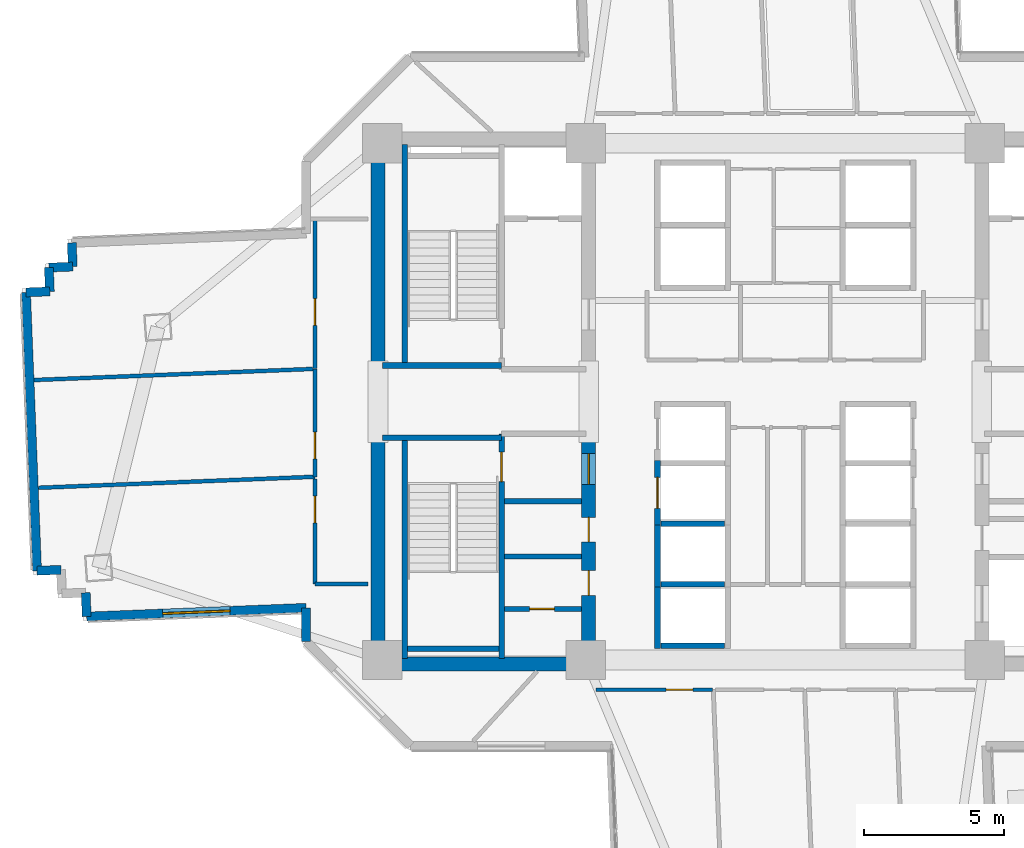
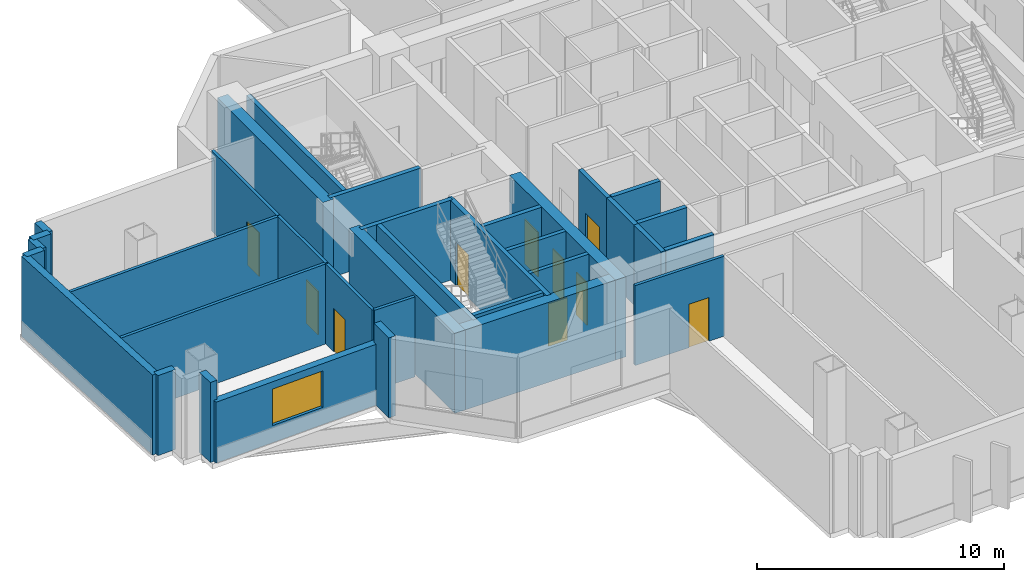
# One storey, part 6 of 16: 35 walls, 10 doors, 1 window, 11 openings.
"""IFC4 building model written with IfcOpenShell, lengths in metres."""

from ifc_helpers import new_model, si_unit, direction, frame, frame_2d, origin, place, context, subcontext, project, spatial, rectangle, extrude, source, transform, mapped, material, layer, layer_set, type_object, element, fill, save


model = new_model("IFC4")

# Units and contexts
model_context = context("Model", 3, precision=1e-05, world=origin(), true_north=direction((0.0, 1.0)))
body_context = subcontext(model_context, "Body", "Model", "MODEL_VIEW")
ifc_project = project(units=[si_unit("LENGTHUNIT", "METRE"), si_unit("AREAUNIT", "SQUARE_METRE"), si_unit("VOLUMEUNIT", "CUBIC_METRE"), si_unit("PLANEANGLEUNIT", "RADIAN"), si_unit("MASSUNIT", "GRAM", prefix="KILO")], contexts=[model_context])

# Site, building, storey
site_placement = place(None, origin())
site = spatial("IfcSite", under=ifc_project, at=site_placement, CompositionType="ELEMENT")
building_placement = place(site_placement, origin())
building = spatial("IfcBuilding", under=site, at=building_placement, Name="Zahravan Cultural Tower", CompositionType="ELEMENT")
storey_placement = place(building_placement, frame((0.0, 0.0, 58.5)))
storey = spatial("IfcBuildingStorey", under=building, at=storey_placement, Name="L12", CompositionType="ELEMENT", Elevation=58.5)

# Wall, openings, doors
ifc_material_1 = material(Name="Concrete C60/75", Category="concrete")
ifc_layer_1 = layer(ifc_material_1, 0.5)
ifc_layer_set_1 = layer_set([ifc_layer_1], Name="Concrete C60/75")
wall_type_1 = type_object("IfcWallType", Name="CW-SHEAR-500-C60", PredefinedType="SHEAR", material=ifc_layer_set_1)
wall_1_placement = place(storey_placement, frame((29.0, 17.39990234375, 0.0), z_axis=(0.0, 0.0, 1.0), x_axis=(0.0, 1.0, 0.0)))
wall_1 = element("IfcWall", 1, at=wall_1_placement, inside=storey, type_object=wall_type_1, Name="L12 Core Shear Wall CW-W-ES-L12", PredefinedType="SHEAR", context=body_context, shape_type="SweptSolid", body=[
    extrude(rectangle(XDim=8.550048828125, YDim=0.5, at=frame_2d((4.27490234375, 0.0))), origin(), (0.0, 0.0, 1.0), 3.949951171875),
])
opening_1_placement = place(wall_1_placement, frame((6.64990234375, 0.0, 0.0)))
opening_1 = element("IfcOpeningElement", 2, at=opening_1_placement, cuts=wall_1, Name="Opening D-L12-07", PredefinedType="OPENING", context=body_context, shape_type="SweptSolid", body=[
    extrude(rectangle(XDim=1.10009765625, YDim=2.199951171875, at=frame_2d((0.550048828125, 1.10009765625))), frame((0.0, 0.260009765625, 0.0), z_axis=(0.0, -1.0, 0.0), x_axis=(1.0, 0.0, 0.0)), (0.0, 0.0, 1.0), 0.52001953125),
])
opening_2_placement = place(wall_1_placement, frame((2.699951171875, 0.0, 0.0)))
opening_2 = element("IfcOpeningElement", 3, at=opening_2_placement, cuts=wall_1, Name="Opening D-L12-10", PredefinedType="OPENING", context=body_context, shape_type="SweptSolid", body=[
    extrude(rectangle(XDim=0.8798828125, YDim=2.10009765625, at=frame_2d((0.43994140625, 1.050048828125))), frame((0.0, 0.260009765625, 0.0), z_axis=(0.0, -1.0, 0.0), x_axis=(1.0, 0.0, 0.0)), (0.0, 0.0, 1.0), 0.52001953125),
])
opening_3_placement = place(wall_1_placement, frame((4.60009765625, 0.0, 0.0)))
opening_3 = element("IfcOpeningElement", 4, at=opening_3_placement, cuts=wall_1, Name="Opening D-L12-11", PredefinedType="OPENING", context=body_context, shape_type="SweptSolid", body=[
    extrude(rectangle(XDim=0.8798828125, YDim=2.10009765625, at=frame_2d((0.43994140625, 1.050048828125))), frame((0.0, 0.260009765625, 0.0), z_axis=(0.0, -1.0, 0.0), x_axis=(1.0, 0.0, 0.0)), (0.0, 0.0, 1.0), 0.52001953125),
])
ifc_material_2 = material(Name="Steel ASTM A572 Grade 50", Category="steel")
door_type_1 = type_object("IfcDoorType", Name="DR-LOBBY-1100", OperationType="NOTDEFINED", PredefinedType="DOOR", material=ifc_material_2)
shared_shape_1 = source(origin(), body_context, "Body", "SweptSolid", [
    extrude(rectangle(XDim=1.10009765625, YDim=2.199951171875, at=frame_2d((0.550048828125, 1.10009765625))), frame((0.0, 0.02490234375, 0.0), z_axis=(0.0, -1.0, 0.0), x_axis=(1.0, 0.0, 0.0)), (0.0, 0.0, 1.0), 0.050048828125),
])
door_1_placement = place(opening_1_placement, origin())
door_1 = element("IfcDoor", 5, at=door_1_placement, inside=storey, type_object=door_type_1, Name="L12 Door D-L12-07", OperationType="SINGLE_SWING_RIGHT", OverallHeight=2.199951171875, OverallWidth=1.10009765625, PredefinedType="DOOR", context=body_context, shape_type="MappedRepresentation", body=[
    mapped(shared_shape_1, transform((0.0, 0.0, 0.0), x_axis=(1.0, 0.0, 0.0), y_axis=(0.0, 1.0, 0.0), z_axis=(0.0, 0.0, 1.0), scale=1.0)),
])
fill(opening_1, door_1)
door_type_2 = type_object("IfcDoorType", Name="DR-SVC-880", OperationType="NOTDEFINED", PredefinedType="DOOR", material=ifc_material_2)
shared_shape_2 = source(origin(), body_context, "Body", "SweptSolid", [
    extrude(rectangle(XDim=0.8798828125, YDim=2.10009765625, at=frame_2d((0.43994140625, 1.050048828125))), frame((0.0, 0.02490234375, 0.0), z_axis=(0.0, -1.0, 0.0), x_axis=(1.0, 0.0, 0.0)), (0.0, 0.0, 1.0), 0.050048828125),
])
door_2_placement = place(opening_2_placement, origin())
door_2 = element("IfcDoor", 6, at=door_2_placement, inside=storey, type_object=door_type_2, Name="L12 Door D-L12-10", OperationType="SINGLE_SWING_LEFT", OverallHeight=2.10009765625, OverallWidth=0.8798828125, PredefinedType="DOOR", context=body_context, shape_type="MappedRepresentation", body=[
    mapped(shared_shape_2, transform((0.0, 0.0, 0.0), x_axis=(1.0, 0.0, 0.0), y_axis=(0.0, 1.0, 0.0), z_axis=(0.0, 0.0, 1.0), scale=1.0)),
])
fill(opening_2, door_2)
door_3_placement = place(opening_3_placement, origin())
door_3 = element("IfcDoor", 7, at=door_3_placement, inside=storey, type_object=door_type_2, Name="L12 Door D-L12-11", OperationType="SINGLE_SWING_RIGHT", OverallHeight=2.10009765625, OverallWidth=0.8798828125, PredefinedType="DOOR", context=body_context, shape_type="MappedRepresentation", body=[
    mapped(shared_shape_2, transform((0.0, 0.0, 0.0), x_axis=(1.0, 0.0, 0.0), y_axis=(0.0, 1.0, 0.0), z_axis=(0.0, 0.0, 1.0), scale=1.0)),
])
fill(opening_3, door_3)

# Wall, opening, window
ifc_material_3 = material(Name="Precast concrete C40/50", Category="concrete")
ifc_layer_2 = layer(ifc_material_3, 0.320068359375)
ifc_layer_set_2 = layer_set([ifc_layer_2], Name="Precast concrete C40/50")
wall_type_2 = type_object("IfcWallType", Name="EW-TC-320", PredefinedType="SOLIDWALL", material=ifc_layer_set_2)
wall_2_placement = place(storey_placement, frame((18.93994140625, 19.655517578125, 0.0), z_axis=(0.0, 0.0, 1.0), x_axis=(-0.999208917222, -0.039768577336, 0.0)))
wall_2 = element("IfcWall", 8, at=wall_2_placement, inside=storey, type_object=wall_type_2, Name="L12 Exterior Masonry Frame Wall 28", PredefinedType="SOLIDWALL", context=body_context, shape_type="SweptSolid", body=[
    extrude(rectangle(XDim=7.821044921875, YDim=0.320068359375, at=frame_2d((3.91064453125, 0.0))), origin(), (0.0, 0.0, 1.0), 3.010009765625),
])
opening_4_placement = place(wall_2_placement, frame((2.7109375, 0.0, 0.85009765625)))
opening_4 = element("IfcOpeningElement", 9, at=opening_4_placement, cuts=wall_2, Name="Opening WN-01", PredefinedType="OPENING", context=body_context, shape_type="SweptSolid", body=[
    extrude(rectangle(XDim=2.39990234375, YDim=1.800048828125, at=frame_2d((1.199951171875, 0.89990234375))), frame((0.0, 0.169921875, 0.0), z_axis=(0.0, -1.0, 0.0), x_axis=(1.0, 0.0, 0.0)), (0.0, 0.0, 1.0), 0.340087890625),
])
ifc_material_4 = material(Name="Low-E solar-control double glazing", Category="glass")
window_type = type_object("IfcWindowType", Name="WN-REC-2400X1800", PartitioningType="DOUBLE_PANEL_VERTICAL", PredefinedType="WINDOW", material=ifc_material_4)
shared_shape_3 = source(origin(), body_context, "Body", "SweptSolid", [
    extrude(rectangle(XDim=2.39990234375, YDim=1.800048828125, at=frame_2d((1.199951171875, 0.89990234375))), frame((0.0, 0.030029296875, 0.0), z_axis=(0.0, -1.0, 0.0), x_axis=(1.0, 0.0, 0.0)), (0.0, 0.0, 1.0), 0.06005859375),
])
window_placement = place(opening_4_placement, origin())
window = element("IfcWindow", 10, at=window_placement, inside=storey, type_object=window_type, Name="L12 Recessed Solar Window 08", OverallHeight=1.800048828125, OverallWidth=2.39990234375, PartitioningType="DOUBLE_PANEL_VERTICAL", PredefinedType="WINDOW", context=body_context, shape_type="MappedRepresentation", body=[
    mapped(shared_shape_3, transform((0.0, 0.0, 0.0), x_axis=(1.0, 0.0, 0.0), y_axis=(0.0, 1.0, 0.0), z_axis=(0.0, 0.0, 1.0), scale=1.0)),
])
fill(opening_4, window)

# Wall, opening, door
ifc_material_5 = material(Name="Gypsum plasterboard partition")
ifc_layer_3 = layer(ifc_material_5, 0.179931640625)
ifc_layer_set_3 = layer_set([ifc_layer_3], Name="Gypsum plasterboard partition")
wall_type_3 = type_object("IfcWallType", Name="W-COMP-180", PredefinedType="PARTITIONING", material=ifc_layer_set_3)
wall_3_placement = place(storey_placement, frame((26.0, 19.6201171875, 0.0), z_axis=(0.0, 0.0, 1.0), x_axis=(1.0, 0.0, 0.0)))
wall_3 = element("IfcWall", 11, at=wall_3_placement, inside=storey, type_object=wall_type_3, Name="L12 Interior Wall 026", PredefinedType="PARTITIONING", context=body_context, shape_type="SweptSolid", body=[
    extrude(rectangle(XDim=2.75, YDim=0.179931640625, at=frame_2d((1.375, 0.0))), origin(), (0.0, 0.0, 1.0), 3.949951171875),
])
opening_5_placement = place(wall_3_placement, frame((0.89990234375, 0.0, 0.0)))
opening_5 = element("IfcOpeningElement", 12, at=opening_5_placement, cuts=wall_3, Name="Opening D-L12-09", PredefinedType="OPENING", context=body_context, shape_type="SweptSolid", body=[
    extrude(rectangle(XDim=0.8798828125, YDim=2.10009765625, at=frame_2d((0.43994140625, 1.050048828125))), frame((0.0, 0.099853515625, 0.0), z_axis=(0.0, -1.0, 0.0), x_axis=(1.0, 0.0, 0.0)), (0.0, 0.0, 1.0), 0.199951171875),
])
door_4_placement = place(opening_5_placement, origin())
door_4 = element("IfcDoor", 13, at=door_4_placement, inside=storey, type_object=door_type_2, Name="L12 Door D-L12-09", OperationType="SINGLE_SWING_RIGHT", OverallHeight=2.10009765625, OverallWidth=0.8798828125, PredefinedType="DOOR", context=body_context, shape_type="MappedRepresentation", body=[
    mapped(shared_shape_2, transform((0.0, 0.0, 0.0), x_axis=(1.0, 0.0, 0.0), y_axis=(0.0, 1.0, 0.0), z_axis=(0.0, 0.0, 1.0), scale=1.0)),
])
fill(opening_5, door_4)

ifc_layer_4 = layer(ifc_material_5, 0.139892578125)
ifc_layer_set_4 = layer_set([ifc_layer_4], Name="Gypsum plasterboard partition")
wall_type_4 = type_object("IfcWallType", Name="W-PART-140", PredefinedType="PARTITIONING", material=ifc_layer_set_4)
wall_4_placement = place(storey_placement, frame((19.25, 28.16455078125, 0.0), z_axis=(0.0, 0.0, 1.0), x_axis=(0.0, -1.0, 0.0)))
wall_4 = element("IfcWall", 14, at=wall_4_placement, inside=storey, type_object=wall_type_4, Name="L12 Interior Wall 094", PredefinedType="PARTITIONING", context=body_context, shape_type="SweptSolid", body=[
    extrude(rectangle(XDim=3.843017578125, YDim=0.139892578125, at=frame_2d((1.92138671875, 0.0))), origin(), (0.0, 0.0, 1.0), 3.949951171875),
])
opening_6_placement = place(wall_4_placement, frame((2.256591796875, 0.0, 0.0)))
opening_6 = element("IfcOpeningElement", 15, at=opening_6_placement, cuts=wall_4, Name="Opening D-L12-29", PredefinedType="OPENING", context=body_context, shape_type="SweptSolid", body=[
    extrude(rectangle(XDim=0.949951171875, YDim=2.14990234375, at=frame_2d((0.47509765625, 1.074951171875))), frame((0.0, 0.079833984375, 0.0), z_axis=(0.0, -1.0, 0.0), x_axis=(1.0, 0.0, 0.0)), (0.0, 0.0, 1.0), 0.159912109375),
])
ifc_material_6 = material(Name="Anodised bronze-aluminium mullion", Category="aluminium")
door_type_3 = type_object("IfcDoorType", Name="DR-ROOM-950", OperationType="NOTDEFINED", PredefinedType="DOOR", material=ifc_material_6)
shared_shape_4 = source(origin(), body_context, "Body", "SweptSolid", [
    extrude(rectangle(XDim=0.949951171875, YDim=2.14990234375, at=frame_2d((0.47509765625, 1.074951171875))), frame((0.0, 0.02490234375, 0.0), z_axis=(0.0, -1.0, 0.0), x_axis=(1.0, 0.0, 0.0)), (0.0, 0.0, 1.0), 0.050048828125),
])
door_5_placement = place(opening_6_placement, origin())
door_5 = element("IfcDoor", 16, at=door_5_placement, inside=storey, type_object=door_type_3, Name="L12 Door D-L12-29", OperationType="SINGLE_SWING_RIGHT", OverallHeight=2.14990234375, OverallWidth=0.949951171875, PredefinedType="DOOR", context=body_context, shape_type="MappedRepresentation", body=[
    mapped(shared_shape_4, transform((0.0, 0.0, 0.0), x_axis=(1.0, 0.0, 0.0), y_axis=(0.0, 1.0, 0.0), z_axis=(0.0, 0.0, 1.0), scale=1.0)),
])
fill(opening_6, door_5)

wall_5_placement = place(storey_placement, frame((19.25048828125, 33.496337890625, 0.0), z_axis=(0.0, 0.0, 1.0), x_axis=(-9.1924438e-05, -0.999999995775, 0.0)))
wall_5 = element("IfcWall", 17, at=wall_5_placement, inside=storey, type_object=wall_type_4, Name="L12 Interior Wall 114", PredefinedType="PARTITIONING", context=body_context, shape_type="SweptSolid", body=[
    extrude(rectangle(XDim=5.311767578125, YDim=0.139892578125, at=frame_2d((2.65576171875, 0.0))), origin(), (0.0, 0.0, 1.0), 3.949951171875),
])
opening_7_placement = place(wall_5_placement, frame((2.835205078125, 0.0, 0.0)))
opening_7 = element("IfcOpeningElement", 18, at=opening_7_placement, cuts=wall_5, Name="Opening D-L12-28", PredefinedType="OPENING", context=body_context, shape_type="SweptSolid", body=[
    extrude(rectangle(XDim=0.949951171875, YDim=2.14990234375, at=frame_2d((0.47509765625, 1.074951171875))), frame((0.0, 0.079833984375, 0.0), z_axis=(0.0, -1.0, 0.0), x_axis=(1.0, 0.0, 0.0)), (0.0, 0.0, 1.0), 0.159912109375),
])
door_6_placement = place(opening_7_placement, origin())
door_6 = element("IfcDoor", 19, at=door_6_placement, inside=storey, type_object=door_type_3, Name="L12 Door D-L12-28", OperationType="SINGLE_SWING_LEFT", OverallHeight=2.14990234375, OverallWidth=0.949951171875, PredefinedType="DOOR", context=body_context, shape_type="MappedRepresentation", body=[
    mapped(shared_shape_4, transform((0.0, 0.0, 0.0), x_axis=(1.0, 0.0, 0.0), y_axis=(0.0, 1.0, 0.0), z_axis=(0.0, 0.0, 1.0), scale=1.0)),
])
fill(opening_7, door_6)

wall_6_placement = place(storey_placement, frame((19.25, 24.24658203125, 0.0), z_axis=(0.0, 0.0, 1.0), x_axis=(0.000326008981, -0.999999946859, 0.0)))
wall_6 = element("IfcWall", 20, at=wall_6_placement, inside=storey, type_object=wall_type_4, Name="L12 Interior Wall 123", PredefinedType="PARTITIONING", context=body_context, shape_type="SweptSolid", body=[
    extrude(rectangle(XDim=3.744384765625, YDim=0.139892578125, at=frame_2d((1.8720703125, 0.0))), origin(), (0.0, 0.0, 1.0), 3.949951171875),
])
opening_8_placement = place(wall_6_placement, frame((0.61474609375, 0.0, 0.0)))
opening_8 = element("IfcOpeningElement", 21, at=opening_8_placement, cuts=wall_6, Name="Opening D-L12-30", PredefinedType="OPENING", context=body_context, shape_type="SweptSolid", body=[
    extrude(rectangle(XDim=0.949951171875, YDim=2.14990234375, at=frame_2d((0.47509765625, 1.074951171875))), frame((0.0, 0.079833984375, 0.0), z_axis=(0.0, -1.0, 0.0), x_axis=(1.0, 0.0, 0.0)), (0.0, 0.0, 1.0), 0.159912109375),
])
door_7_placement = place(opening_8_placement, origin())
door_7 = element("IfcDoor", 22, at=door_7_placement, inside=storey, type_object=door_type_3, Name="L12 Door D-L12-30", OperationType="SINGLE_SWING_LEFT", OverallHeight=2.14990234375, OverallWidth=0.949951171875, PredefinedType="DOOR", context=body_context, shape_type="MappedRepresentation", body=[
    mapped(shared_shape_4, transform((0.0, 0.0, 0.0), x_axis=(1.0, 0.0, 0.0), y_axis=(0.0, 1.0, 0.0), z_axis=(0.0, 0.0, 1.0), scale=1.0)),
])
fill(opening_8, door_7)

wall_7_placement = place(storey_placement, frame((29.257568359375, 16.740234375, 0.0), z_axis=(0.0, 0.0, 1.0), x_axis=(0.999999998277, -5.8706117e-05, 0.0)))
wall_7 = element("IfcWall", 23, at=wall_7_placement, inside=storey, type_object=wall_type_4, Name="L12 Interior Wall 125", PredefinedType="PARTITIONING", context=body_context, shape_type="SweptSolid", body=[
    extrude(rectangle(XDim=4.15869140625, YDim=0.139892578125, at=frame_2d((2.079345703125, 0.0))), origin(), (0.0, 0.0, 1.0), 3.949951171875),
])
opening_9_placement = place(wall_7_placement, frame((2.502685546875, 0.0, 0.0)))
opening_9 = element("IfcOpeningElement", 24, at=opening_9_placement, cuts=wall_7, Name="Opening D-L12-31", PredefinedType="OPENING", context=body_context, shape_type="SweptSolid", body=[
    extrude(rectangle(XDim=0.949951171875, YDim=2.14990234375, at=frame_2d((0.47509765625, 1.074951171875))), frame((0.0, 0.079833984375, 0.0), z_axis=(0.0, -1.0, 0.0), x_axis=(1.0, 0.0, 0.0)), (0.0, 0.0, 1.0), 0.159912109375),
])
door_8_placement = place(opening_9_placement, origin())
door_8 = element("IfcDoor", 25, at=door_8_placement, inside=storey, type_object=door_type_3, Name="L12 Door D-L12-31", OperationType="SINGLE_SWING_RIGHT", OverallHeight=2.14990234375, OverallWidth=0.949951171875, PredefinedType="DOOR", context=body_context, shape_type="MappedRepresentation", body=[
    mapped(shared_shape_4, transform((0.0, 0.0, 0.0), x_axis=(1.0, 0.0, 0.0), y_axis=(0.0, 1.0, 0.0), z_axis=(0.0, 0.0, 1.0), scale=1.0)),
])
fill(opening_9, door_8)

ifc_material_7 = material(Name="Concrete C45/55", Category="concrete")
ifc_layer_5 = layer(ifc_material_7, 0.199951171875)
ifc_layer_set_5 = layer_set([ifc_layer_5], Name="Concrete C45/55")
wall_type_5 = type_object("IfcWallType", Name="W-SHAFT-200", PredefinedType="SOLIDWALL", material=ifc_layer_set_5)
wall_8_placement = place(storey_placement, frame((25.89990234375, 17.85009765625, 0.0), z_axis=(0.0, 0.0, 1.0), x_axis=(0.0, 1.0, 0.0)))
wall_8 = element("IfcWall", 26, at=wall_8_placement, inside=storey, type_object=wall_type_5, Name="L12 Interior Wall 005", PredefinedType="SOLIDWALL", context=body_context, shape_type="SweptSolid", body=[
    extrude(rectangle(XDim=8.0, YDim=0.199951171875, at=frame_2d((4.0, 0.0))), origin(), (0.0, 0.0, 1.0), 3.949951171875),
])
opening_10_placement = place(wall_8_placement, frame((6.300048828125, 0.0, 0.0)))
opening_10 = element("IfcOpeningElement", 27, at=opening_10_placement, cuts=wall_8, Name="Opening D-L12-04", PredefinedType="OPENING", context=body_context, shape_type="SweptSolid", body=[
    extrude(rectangle(XDim=1.050048828125, YDim=2.14990234375, at=frame_2d((0.52490234375, 1.074951171875))), frame((0.0, 0.10986328125, 0.0), z_axis=(0.0, -1.0, 0.0), x_axis=(1.0, 0.0, 0.0)), (0.0, 0.0, 1.0), 0.219970703125),
])
door_type_4 = type_object("IfcDoorType", Name="DR-STAIR-1050", OperationType="NOTDEFINED", PredefinedType="DOOR", material=ifc_material_2)
shared_shape_5 = source(origin(), body_context, "Body", "SweptSolid", [
    extrude(rectangle(XDim=1.050048828125, YDim=2.14990234375, at=frame_2d((0.52490234375, 1.074951171875))), frame((0.0, 0.02490234375, 0.0), z_axis=(0.0, -1.0, 0.0), x_axis=(1.0, 0.0, 0.0)), (0.0, 0.0, 1.0), 0.050048828125),
])
door_9_placement = place(opening_10_placement, origin())
door_9 = element("IfcDoor", 28, at=door_9_placement, inside=storey, type_object=door_type_4, Name="L12 Door D-L12-04", OperationType="SINGLE_SWING_LEFT", OverallHeight=2.14990234375, OverallWidth=1.050048828125, PredefinedType="DOOR", context=body_context, shape_type="MappedRepresentation", body=[
    mapped(shared_shape_5, transform((0.0, 0.0, 0.0), x_axis=(1.0, 0.0, 0.0), y_axis=(0.0, 1.0, 0.0), z_axis=(0.0, 0.0, 1.0), scale=1.0)),
])
fill(opening_10, door_9)

wall_9_placement = place(storey_placement, frame((31.449951171875, 22.60009765625, 0.0), z_axis=(0.0, 0.0, 1.0), x_axis=(0.0, 1.0, 0.0)))
wall_9 = element("IfcWall", 29, at=wall_9_placement, inside=storey, type_object=wall_type_5, Name="L12 Interior Wall 061", PredefinedType="SOLIDWALL", context=body_context, shape_type="SweptSolid", body=[
    extrude(rectangle(XDim=2.2998046875, YDim=0.199951171875, at=frame_2d((1.14990234375, 0.0))), origin(), (0.0, 0.0, 1.0), 3.949951171875),
])
opening_11_placement = place(wall_9_placement, frame((0.60009765625, 0.0, 0.0)))
opening_11 = element("IfcOpeningElement", 30, at=opening_11_placement, cuts=wall_9, Name="Opening LD-L12-05", PredefinedType="OPENING", context=body_context, shape_type="SweptSolid", body=[
    extrude(rectangle(XDim=1.10009765625, YDim=2.14990234375, at=frame_2d((0.550048828125, 1.074951171875))), frame((0.0, 0.10986328125, 0.0), z_axis=(0.0, -1.0, 0.0), x_axis=(1.0, 0.0, 0.0)), (0.0, 0.0, 1.0), 0.219970703125),
])
door_type_5 = type_object("IfcDoorType", Name="DR-LIFT-1100", OperationType="DOUBLE_DOOR_SLIDING", PredefinedType="DOOR", material=ifc_material_2)
shared_shape_6 = source(origin(), body_context, "Body", "SweptSolid", [
    extrude(rectangle(XDim=1.10009765625, YDim=2.14990234375, at=frame_2d((0.550048828125, 1.074951171875))), frame((0.0, 0.02490234375, 0.0), z_axis=(0.0, -1.0, 0.0), x_axis=(1.0, 0.0, 0.0)), (0.0, 0.0, 1.0), 0.050048828125),
])
door_10_placement = place(opening_11_placement, origin())
door_10 = element("IfcDoor", 31, at=door_10_placement, inside=storey, type_object=door_type_5, Name="L12 Door LD-L12-05", OperationType="DOUBLE_DOOR_SLIDING", OverallHeight=2.14990234375, OverallWidth=1.10009765625, PredefinedType="DOOR", context=body_context, shape_type="MappedRepresentation", body=[
    mapped(shared_shape_6, transform((0.0, 0.0, 0.0), x_axis=(1.0, 0.0, 0.0), y_axis=(0.0, 1.0, 0.0), z_axis=(0.0, 0.0, 1.0), scale=1.0)),
])
fill(opening_11, door_10)

# Walls
shared_shape_7 = source(origin(), body_context, "Body", "SweptSolid", [
    extrude(rectangle(XDim=8.550048828125, YDim=0.5, at=frame_2d((4.27490234375, 0.0))), origin(), (0.0, 0.0, 1.0), 3.949951171875),
])
for number, where, z_axis, x_axis, name in (
    (32, (21.5, 17.39990234375, 0.0), (0.0, 0.0, 1.0), (0.0, 1.0, 0.0), "L12 Core Shear Wall CW-W-WS-L12"),
    (33, (21.5, 28.050048828125, 0.0), (0.0, 0.0, 1.0), (0.0, 1.0, 0.0), "L12 Core Shear Wall CW-W-WN-L12"),
):
    element("IfcWall", number, at=place(storey_placement, frame(where, z_axis=z_axis, x_axis=x_axis)), inside=storey, type_object=wall_type_1, Name=name, PredefinedType="SHEAR", context=body_context, shape_type="MappedRepresentation", body=[
        mapped(shared_shape_7, transform((0.0, 0.0, 0.0), x_axis=(1.0, 0.0, 0.0), y_axis=(0.0, 1.0, 0.0), z_axis=(0.0, 0.0, 1.0), scale=1.0)),
    ])
shared_shape_8 = source(origin(), body_context, "Body", "SweptSolid", [
    extrude(rectangle(XDim=7.0, YDim=0.5, at=frame_2d((3.5, 0.0))), origin(), (0.0, 0.0, 1.0), 3.949951171875),
])
wall_10_placement = place(storey_placement, frame((21.75, 17.64990234375, 0.0), z_axis=(0.0, 0.0, 1.0), x_axis=(1.0, 0.0, 0.0)))
element("IfcWall", 34, at=wall_10_placement, inside=storey, type_object=wall_type_1, Name="L12 Core Shear Wall CW-W-S-L12", PredefinedType="SHEAR", context=body_context, shape_type="MappedRepresentation", body=[
    mapped(shared_shape_8, transform((0.0, 0.0, 0.0), x_axis=(1.0, 0.0, 0.0), y_axis=(0.0, 1.0, 0.0), z_axis=(0.0, 0.0, 1.0), scale=1.0)),
])
shared_shape_9 = source(origin(), body_context, "Body", "SweptSolid", [
    extrude(rectangle(XDim=0.849853515625, YDim=0.320068359375, at=frame_2d((0.4248046875, 0.0))), origin(), (0.0, 0.0, 1.0), 3.949951171875),
])
for number, where, z_axis, x_axis, name in (
    (35, (11.125, 19.344482421875, 0.0), (0.0, 0.0, 1.0), (-0.039933618331, 0.999202334929, 0.0), "L12 Exterior Masonry Frame Wall 29"),
    (36, (8.964111328125, 30.887451171875, 0.0), (0.0, 0.0, 1.0), (0.999202334929, 0.039933618331, 0.0), "L12 Exterior Masonry Frame Wall 34"),
):
    element("IfcWall", number, at=place(storey_placement, frame(where, z_axis=z_axis, x_axis=x_axis)), inside=storey, type_object=wall_type_2, Name=name, PredefinedType="SOLIDWALL", context=body_context, shape_type="MappedRepresentation", body=[
        mapped(shared_shape_9, transform((0.0, 0.0, 0.0), x_axis=(1.0, 0.0, 0.0), y_axis=(0.0, 1.0, 0.0), z_axis=(0.0, 0.0, 1.0), scale=1.0)),
    ])
shared_shape_10 = source(origin(), body_context, "Body", "SweptSolid", [
    extrude(rectangle(XDim=0.85009765625, YDim=0.320068359375, at=frame_2d((0.425048828125, 0.0))), origin(), (0.0, 0.0, 1.0), 3.949951171875),
])
for number, where, z_axis, x_axis, name in (
    (37, (10.2080078125, 21.00927734375, 0.0), (0.0, 0.0, 1.0), (-0.999202792875, -0.039922158152, 0.0), "L12 Exterior Masonry Frame Wall 32"),
    (38, (9.813232421875, 30.92138671875, 0.0), (0.0, 0.0, 1.0), (-0.039635401209, 0.999214208752, 0.0), "L12 Exterior Masonry Frame Wall 35"),
    (39, (9.779541015625, 31.770751953125, 0.0), (0.0, 0.0, 1.0), (0.999214208752, 0.039635401209, 0.0), "L12 Exterior Masonry Frame Wall 36"),
    (40, (10.62890625, 31.804443359375, 0.0), (0.0, 0.0, 1.0), (-0.039922158152, 0.999202792875, 0.0), "L12 Exterior Masonry Frame Wall 37"),
):
    element("IfcWall", number, at=place(storey_placement, frame(where, z_axis=z_axis, x_axis=x_axis)), inside=storey, type_object=wall_type_2, Name=name, PredefinedType="SOLIDWALL", context=body_context, shape_type="MappedRepresentation", body=[
        mapped(shared_shape_10, transform((0.0, 0.0, 0.0), x_axis=(1.0, 0.0, 0.0), y_axis=(0.0, 1.0, 0.0), z_axis=(0.0, 0.0, 1.0), scale=1.0)),
    ])
shared_shape_11 = source(origin(), body_context, "Body", "SweptSolid", [
    extrude(rectangle(XDim=9.919921875, YDim=0.320068359375, at=frame_2d((4.9599609375, 0.0))), origin(), (0.0, 0.0, 1.0), 3.949951171875),
])
wall_11_placement = place(storey_placement, frame((9.358642578125, 20.975341796875, 0.0), z_axis=(0.0, 0.0, 1.0), x_axis=(-0.03977146366, 0.999208802342, 0.0)))
element("IfcWall", 41, at=wall_11_placement, inside=storey, type_object=wall_type_2, Name="L12 Exterior Masonry Frame Wall 33", PredefinedType="SOLIDWALL", context=body_context, shape_type="MappedRepresentation", body=[
    mapped(shared_shape_11, transform((0.0, 0.0, 0.0), x_axis=(1.0, 0.0, 0.0), y_axis=(0.0, 1.0, 0.0), z_axis=(0.0, 0.0, 1.0), scale=1.0)),
])
shared_shape_12 = source(origin(), body_context, "Body", "SweptSolid", [
    extrude(rectangle(XDim=1.197509765625, YDim=0.320068359375, at=frame_2d((0.5986328125, 0.0))), origin(), (0.0, 0.0, 1.0), 3.949951171875),
])
wall_12_placement = place(storey_placement, frame((18.93994140625, 18.4580078125, 0.0), z_axis=(0.0, 0.0, 1.0), x_axis=(0.0, 1.0, 0.0)))
element("IfcWall", 42, at=wall_12_placement, inside=storey, type_object=wall_type_2, Name="L12 Exterior Masonry Frame Wall 27", PredefinedType="SOLIDWALL", context=body_context, shape_type="MappedRepresentation", body=[
    mapped(shared_shape_12, transform((0.0, 0.0, 0.0), x_axis=(1.0, 0.0, 0.0), y_axis=(0.0, 1.0, 0.0), z_axis=(0.0, 0.0, 1.0), scale=1.0)),
])
shared_shape_13 = source(origin(), body_context, "Body", "SweptSolid", [
    extrude(rectangle(XDim=7.869873046875, YDim=0.199951171875, at=frame_2d((3.93505859375, 0.0))), origin(), (0.0, 0.0, 1.0), 3.949951171875),
])
for number, where, z_axis, x_axis, name in (
    (43, (22.449951171875, 17.85009765625, 0.0), (0.0, 0.0, 1.0), (0.0, 1.0, 0.0), "L12 Interior Wall 001"),
    (44, (22.449951171875, 28.280029296875, 0.0), (0.0, 0.0, 1.0), (0.0, 1.0, 0.0), "L12 Interior Wall 002"),
):
    element("IfcWall", number, at=place(storey_placement, frame(where, z_axis=z_axis, x_axis=x_axis)), inside=storey, type_object=wall_type_5, Name=name, PredefinedType="SOLIDWALL", context=body_context, shape_type="MappedRepresentation", body=[
        mapped(shared_shape_13, transform((0.0, 0.0, 0.0), x_axis=(1.0, 0.0, 0.0), y_axis=(0.0, 1.0, 0.0), z_axis=(0.0, 0.0, 1.0), scale=1.0)),
    ])
shared_shape_14 = source(origin(), body_context, "Body", "SweptSolid", [
    extrude(rectangle(XDim=4.25, YDim=0.199951171875, at=frame_2d((2.125, 0.0))), origin(), (0.0, 0.0, 1.0), 3.949951171875),
])
for number, where, z_axis, x_axis, name in (
    (45, (21.64990234375, 25.715087890625, 0.0), (0.0, 0.0, 1.0), (1.0, 0.0, 0.0), "L12 Interior Wall 009"),
    (46, (21.64990234375, 28.284912109375, 0.0), (0.0, 0.0, 1.0), (1.0, 0.0, 0.0), "L12 Interior Wall 011"),
):
    element("IfcWall", number, at=place(storey_placement, frame(where, z_axis=z_axis, x_axis=x_axis)), inside=storey, type_object=wall_type_5, Name=name, PredefinedType="SOLIDWALL", context=body_context, shape_type="MappedRepresentation", body=[
        mapped(shared_shape_14, transform((0.0, 0.0, 0.0), x_axis=(1.0, 0.0, 0.0), y_axis=(0.0, 1.0, 0.0), z_axis=(0.0, 0.0, 1.0), scale=1.0)),
    ])
shared_shape_15 = source(origin(), body_context, "Body", "SweptSolid", [
    extrude(rectangle(XDim=3.25, YDim=0.199951171875, at=frame_2d((1.625, 0.0))), origin(), (0.0, 0.0, 1.0), 3.949951171875),
])
wall_13_placement = place(storey_placement, frame((22.550048828125, 18.199951171875, 0.0), z_axis=(0.0, 0.0, 1.0), x_axis=(1.0, 0.0, 0.0)))
element("IfcWall", 47, at=wall_13_placement, inside=storey, type_object=wall_type_5, Name="L12 Interior Wall 019", PredefinedType="SOLIDWALL", context=body_context, shape_type="MappedRepresentation", body=[
    mapped(shared_shape_15, transform((0.0, 0.0, 0.0), x_axis=(1.0, 0.0, 0.0), y_axis=(0.0, 1.0, 0.0), z_axis=(0.0, 0.0, 1.0), scale=1.0)),
])
shared_shape_16 = source(origin(), body_context, "Body", "SweptSolid", [
    extrude(rectangle(XDim=2.75, YDim=0.199951171875, at=frame_2d((1.375, 0.0))), origin(), (0.0, 0.0, 1.0), 3.949951171875),
])
wall_14_placement = place(storey_placement, frame((26.0, 23.449951171875, 0.0), z_axis=(0.0, 0.0, 1.0), x_axis=(1.0, 0.0, 0.0)))
element("IfcWall", 48, at=wall_14_placement, inside=storey, type_object=wall_type_5, Name="L12 Interior Wall 023", PredefinedType="SOLIDWALL", context=body_context, shape_type="MappedRepresentation", body=[
    mapped(shared_shape_16, transform((0.0, 0.0, 0.0), x_axis=(1.0, 0.0, 0.0), y_axis=(0.0, 1.0, 0.0), z_axis=(0.0, 0.0, 1.0), scale=1.0)),
])
shared_shape_17 = source(origin(), body_context, "Body", "SweptSolid", [
    extrude(rectangle(XDim=2.260009765625, YDim=0.199951171875, at=frame_2d((1.1298828125, 0.0))), origin(), (0.0, 0.0, 1.0), 3.949951171875),
])
for number, where, z_axis, x_axis, name in (
    (49, (31.570068359375, 20.5, 0.0), (0.0, 0.0, 1.0), (1.0, 0.0, 0.0), "L12 Interior Wall 045"),
    (50, (31.570068359375, 22.64990234375, 0.0), (0.0, 0.0, 1.0), (1.0, 0.0, 0.0), "L12 Interior Wall 046"),
    (51, (31.570068359375, 18.300048828125, 0.0), (0.0, 0.0, 1.0), (1.0, 0.0, 0.0), "L12 Interior Wall 049"),
):
    element("IfcWall", number, at=place(storey_placement, frame(where, z_axis=z_axis, x_axis=x_axis)), inside=storey, type_object=wall_type_5, Name=name, PredefinedType="SOLIDWALL", context=body_context, shape_type="MappedRepresentation", body=[
        mapped(shared_shape_17, transform((0.0, 0.0, 0.0), x_axis=(1.0, 0.0, 0.0), y_axis=(0.0, 1.0, 0.0), z_axis=(0.0, 0.0, 1.0), scale=1.0)),
    ])
shared_shape_18 = source(origin(), body_context, "Body", "SweptSolid", [
    extrude(rectangle(XDim=2.35009765625, YDim=0.199951171875, at=frame_2d((1.175048828125, 0.0))), origin(), (0.0, 0.0, 1.0), 3.949951171875),
])
for number, where, z_axis, x_axis, name in (
    (52, (31.449951171875, 20.39990234375, 0.0), (0.0, 0.0, 1.0), (0.0, 1.0, 0.0), "L12 Interior Wall 043"),
    (53, (31.449951171875, 18.199951171875, 0.0), (0.0, 0.0, 1.0), (0.0, 1.0, 0.0), "L12 Interior Wall 047"),
):
    element("IfcWall", number, at=place(storey_placement, frame(where, z_axis=z_axis, x_axis=x_axis)), inside=storey, type_object=wall_type_5, Name=name, PredefinedType="SOLIDWALL", context=body_context, shape_type="MappedRepresentation", body=[
        mapped(shared_shape_18, transform((0.0, 0.0, 0.0), x_axis=(1.0, 0.0, 0.0), y_axis=(0.0, 1.0, 0.0), z_axis=(0.0, 0.0, 1.0), scale=1.0)),
    ])
shared_shape_19 = source(origin(), body_context, "Body", "SweptSolid", [
    extrude(rectangle(XDim=2.75, YDim=0.179931640625, at=frame_2d((1.375, 0.0))), origin(), (0.0, 0.0, 1.0), 3.949951171875),
])
wall_15_placement = place(storey_placement, frame((26.0, 21.47998046875, 0.0), z_axis=(0.0, 0.0, 1.0), x_axis=(1.0, 0.0, 0.0)))
element("IfcWall", 54, at=wall_15_placement, inside=storey, type_object=wall_type_3, Name="L12 Interior Wall 027", PredefinedType="PARTITIONING", context=body_context, shape_type="MappedRepresentation", body=[
    mapped(shared_shape_19, transform((0.0, 0.0, 0.0), x_axis=(1.0, 0.0, 0.0), y_axis=(0.0, 1.0, 0.0), z_axis=(0.0, 0.0, 1.0), scale=1.0)),
])
shared_shape_20 = source(origin(), body_context, "Body", "SweptSolid", [
    extrude(rectangle(XDim=9.850830078125, YDim=0.139892578125, at=frame_2d((4.92529296875, 0.0))), origin(), (0.0, 0.0, 1.0), 3.949951171875),
])
wall_16_placement = place(storey_placement, frame((19.2490234375, 24.321533203125, 0.0), z_axis=(0.0, 0.0, 1.0), x_axis=(-0.999208542072, -0.039778002084, 0.0)))
element("IfcWall", 55, at=wall_16_placement, inside=storey, type_object=wall_type_4, Name="L12 Interior Wall 095", PredefinedType="PARTITIONING", context=body_context, shape_type="MappedRepresentation", body=[
    mapped(shared_shape_20, transform((0.0, 0.0, 0.0), x_axis=(1.0, 0.0, 0.0), y_axis=(0.0, 1.0, 0.0), z_axis=(0.0, 0.0, 1.0), scale=1.0)),
])
shared_shape_21 = source(origin(), body_context, "Body", "SweptSolid", [
    extrude(rectangle(XDim=9.929443359375, YDim=0.139892578125, at=frame_2d((4.96484375, 0.0))), origin(), (0.0, 0.0, 1.0), 3.949951171875),
])
wall_17_placement = place(storey_placement, frame((9.25341796875, 27.7666015625, 0.0), z_axis=(0.0, 0.0, 1.0), x_axis=(0.999208364847, 0.039782453661, 0.0)))
element("IfcWall", 56, at=wall_17_placement, inside=storey, type_object=wall_type_4, Name="L12 Interior Wall 096", PredefinedType="PARTITIONING", context=body_context, shape_type="MappedRepresentation", body=[
    mapped(shared_shape_21, transform((0.0, 0.0, 0.0), x_axis=(1.0, 0.0, 0.0), y_axis=(0.0, 1.0, 0.0), z_axis=(0.0, 0.0, 1.0), scale=1.0)),
])
shared_shape_22 = source(origin(), body_context, "Body", "SweptSolid", [
    extrude(rectangle(XDim=1.897705078125, YDim=0.139892578125, at=frame_2d((0.94873046875, 0.0))), origin(), (0.0, 0.0, 1.0), 3.949951171875),
])
wall_18_placement = place(storey_placement, frame((19.251220703125, 20.502197265625, 0.0), z_axis=(0.0, 0.0, 1.0), x_axis=(0.999999793113, -0.00064325215, 0.0)))
element("IfcWall", 57, at=wall_18_placement, inside=storey, type_object=wall_type_4, Name="L12 Interior Wall 121", PredefinedType="PARTITIONING", context=body_context, shape_type="MappedRepresentation", body=[
    mapped(shared_shape_22, transform((0.0, 0.0, 0.0), x_axis=(1.0, 0.0, 0.0), y_axis=(0.0, 1.0, 0.0), z_axis=(0.0, 0.0, 1.0), scale=1.0)),
])

save(model, "model.ifc")
